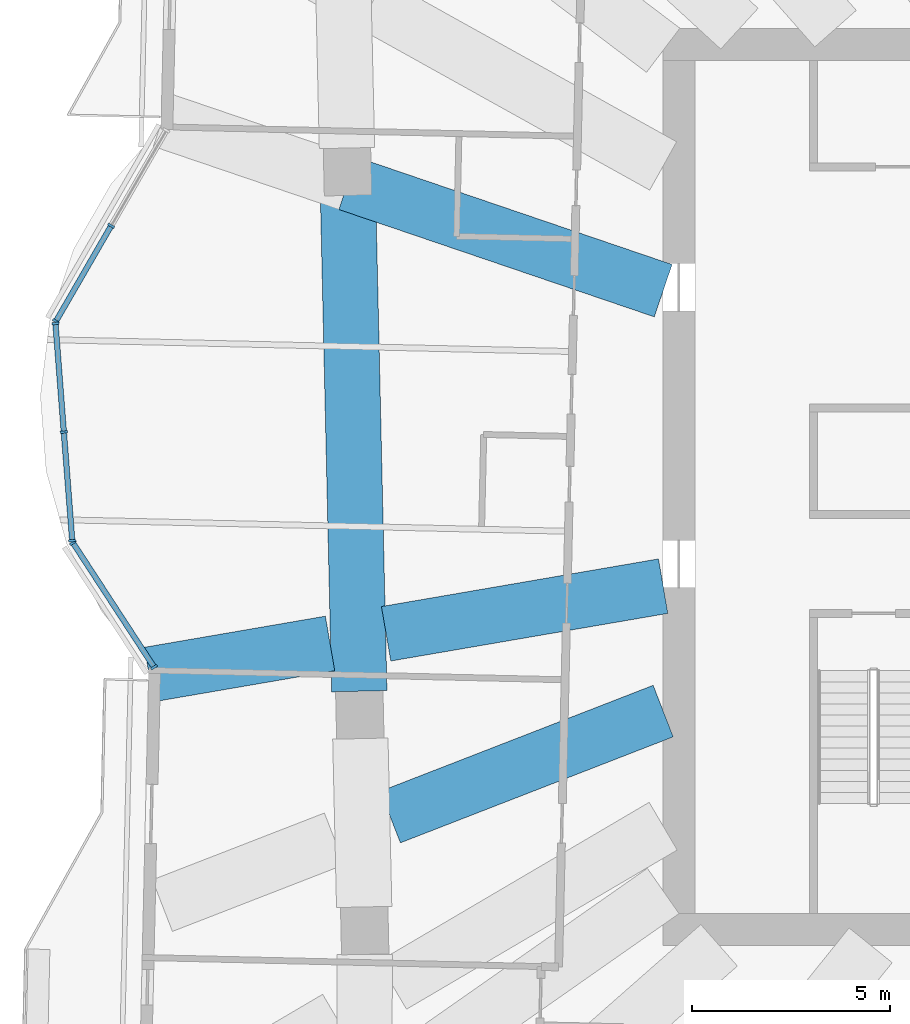
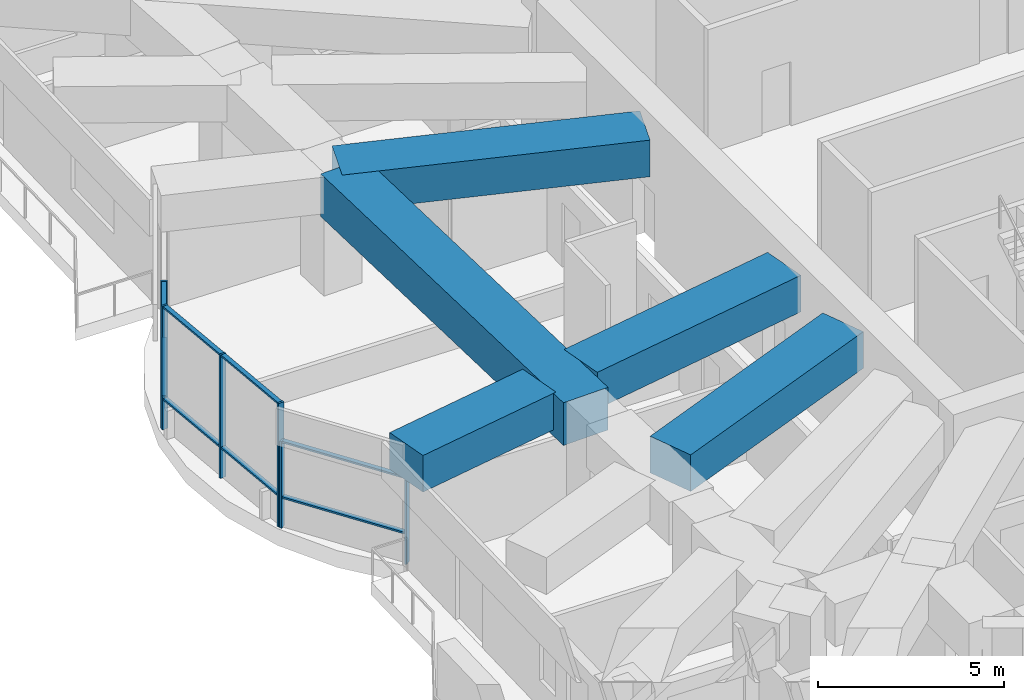
# One storey, part 2 of 19: 15 members, 5 beams, 3 elements without a shape of their own.
"""IFC4 building model written with IfcOpenShell, lengths in metres."""

from ifc_helpers import new_model, si_unit, direction, frame, origin, origin_2d, place, context, subcontext, project, spatial, rectangle, extrude, material, material_profile, profile_set, type_object, element, aggregate, save


model = new_model("IFC4")

# Units and contexts
model_context = context("Model", 3, precision=1e-05, world=origin(), true_north=direction((0.0, 1.0)))
body_context = subcontext(model_context, "Body", "Model", "MODEL_VIEW")
ifc_project = project(units=[si_unit("LENGTHUNIT", "METRE"), si_unit("AREAUNIT", "SQUARE_METRE"), si_unit("VOLUMEUNIT", "CUBIC_METRE"), si_unit("PLANEANGLEUNIT", "RADIAN"), si_unit("MASSUNIT", "GRAM", prefix="KILO")], contexts=[model_context])

# Site, building, storey
site_placement = place(None, origin())
site = spatial("IfcSite", under=ifc_project, at=site_placement, CompositionType="ELEMENT")
building_placement = place(site_placement, origin())
building = spatial("IfcBuilding", under=site, at=building_placement, Name="Mangrove Gate Tower", CompositionType="ELEMENT")
storey_placement = place(building_placement, frame((0.0, 0.0, 193.300048828125)))
storey = spatial("IfcBuildingStorey", under=building, at=storey_placement, Name="L49", CompositionType="ELEMENT", Elevation=193.300048828125)

# Curtain wall, members
ifc_material_1 = material(Name="Aluminium and glass curtain wall", Category="aluminium")
curtain_wall_type = type_object("IfcCurtainWallType", Name="Sky-lounge glazing wall", PredefinedType="NOTDEFINED", material=ifc_material_1)
curtain_wall_1_placement = place(storey_placement, origin())
curtain_wall_1 = element("IfcCurtainWall", 1, at=curtain_wall_1_placement, inside=storey, type_object=curtain_wall_type, Name="Sky-lounge glazing W9f1", PredefinedType="NOTDEFINED")
ifc_material_2 = material(Name="Aluminium alloy 6063-T6", Category="aluminium")
ifc_material_profile_1 = material_profile(ifc_material_2, rectangle(XDim=0.06005859375, YDim=0.179931640625, at=origin_2d()))
ifc_profile_set_1 = profile_set([ifc_material_profile_1], Name="Aluminium alloy 6063-T6")
member_type_1 = type_object("IfcMemberType", Name="Sky-lounge glazing mullion 60x180", PredefinedType="MULLION", material=ifc_profile_set_1)
member_1_placement = place(storey_placement, frame((-28.572265625, 6.6103515625, 0.0), z_axis=(0.0, 0.0, 1.0), x_axis=(-0.500418160284, -0.865783844189, 0.0)))
member_1 = element("IfcMember", 2, at=member_1_placement, type_object=member_type_1, Name="CWK mullion 2", PredefinedType="MULLION", context=body_context, shape_type="SweptSolid", body=[
    extrude(rectangle(XDim=0.06005859375, YDim=0.179931640625, at=origin_2d()), origin(), (0.0, 0.0, 1.0), 2.849853515625),
])
member_2_placement = place(storey_placement, frame((-29.96875, 4.19384765625, 0.0), z_axis=(0.0, 0.0, 1.0), x_axis=(-0.500418160284, -0.865783844189, 0.0)))
member_2 = element("IfcMember", 3, at=member_2_placement, type_object=member_type_1, Name="CWK mullion 3", PredefinedType="MULLION", context=body_context, shape_type="SweptSolid", body=[
    extrude(rectangle(XDim=0.06005859375, YDim=0.179931640625, at=origin_2d()), origin(), (0.0, 0.0, 1.0), 2.849853515625),
])

curtain_wall_2_placement = place(storey_placement, origin())
curtain_wall_2 = element("IfcCurtainWall", 4, at=curtain_wall_2_placement, inside=storey, type_object=curtain_wall_type, Name="Sky-lounge glazing W9f2", PredefinedType="NOTDEFINED")
member_3_placement = place(storey_placement, frame((-29.9814453125, 4.137939453125, 0.0), z_axis=(0.0, 0.0, 1.0), x_axis=(0.077023348229, -0.997029289353, 0.0)))
member_3 = element("IfcMember", 5, at=member_3_placement, type_object=member_type_1, Name="CWK mullion 1", PredefinedType="MULLION", context=body_context, shape_type="SweptSolid", body=[
    extrude(rectangle(XDim=0.06005859375, YDim=0.179931640625, at=origin_2d()), origin(), (0.0, 0.0, 1.0), 4.050048828125),
])
member_4_placement = place(storey_placement, frame((-29.769287109375, 1.389404296875, 0.0), z_axis=(0.0, 0.0, 1.0), x_axis=(0.077023348229, -0.997029289353, 0.0)))
member_4 = element("IfcMember", 6, at=member_4_placement, type_object=member_type_1, Name="CWK mullion 2", PredefinedType="MULLION", context=body_context, shape_type="SweptSolid", body=[
    extrude(rectangle(XDim=0.06005859375, YDim=0.179931640625, at=origin_2d()), origin(), (0.0, 0.0, 1.0), 4.050048828125),
])
member_5_placement = place(storey_placement, frame((-29.556884765625, -1.359130859375, 0.0), z_axis=(0.0, 0.0, 1.0), x_axis=(0.077023348229, -0.997029289353, 0.0)))
member_5 = element("IfcMember", 7, at=member_5_placement, type_object=member_type_1, Name="CWK mullion 3", PredefinedType="MULLION", context=body_context, shape_type="SweptSolid", body=[
    extrude(rectangle(XDim=0.06005859375, YDim=0.179931640625, at=origin_2d()), origin(), (0.0, 0.0, 1.0), 4.050048828125),
])

curtain_wall_3_placement = place(storey_placement, origin())
curtain_wall_3 = element("IfcCurtainWall", 8, at=curtain_wall_3_placement, inside=storey, type_object=curtain_wall_type, Name="Sky-lounge glazing W9f3", PredefinedType="NOTDEFINED")
member_6_placement = place(storey_placement, frame((-29.5380859375, -1.4140625, 0.0), z_axis=(0.0, 0.0, 1.0), x_axis=(0.546235085045, -0.837631919083, 0.0)))
member_6 = element("IfcMember", 9, at=member_6_placement, type_object=member_type_1, Name="CWK mullion 1", PredefinedType="MULLION", context=body_context, shape_type="SweptSolid", body=[
    extrude(rectangle(XDim=0.06005859375, YDim=0.179931640625, at=origin_2d()), origin(), (0.0, 0.0, 1.0), 2.849853515625),
])
member_7_placement = place(storey_placement, frame((-27.486572265625, -4.560302734375, 0.0), z_axis=(0.0, 0.0, 1.0), x_axis=(0.546235085045, -0.837631919083, 0.0)))
member_7 = element("IfcMember", 10, at=member_7_placement, type_object=member_type_1, Name="CWK mullion 2", PredefinedType="MULLION", context=body_context, shape_type="SweptSolid", body=[
    extrude(rectangle(XDim=0.06005859375, YDim=0.179931640625, at=origin_2d()), origin(), (0.0, 0.0, 1.0), 2.849853515625),
])

# Member
ifc_material_3 = material(Name="Aluminium alloy 6063-T6", Category="aluminium")
ifc_material_profile_2 = material_profile(ifc_material_3, rectangle(XDim=0.06005859375, YDim=0.139892578125, at=origin_2d()))
ifc_profile_set_2 = profile_set([ifc_material_profile_2], Name="Aluminium alloy 6063-T6")
member_type_2 = type_object("IfcMemberType", Name="Sky-lounge glazing transom 60x140", PredefinedType="USERDEFINED", material=ifc_profile_set_2)
member_8_placement = place(storey_placement, frame((-28.587158203125, 6.584228515625, 1.0), z_axis=(-0.500465258138, -0.865756620187, 0.0), x_axis=(0.0, 0.0, 1.0)))
member_8 = element("IfcMember", 11, at=member_8_placement, type_object=member_type_2, Name="CWK transom 2.2", ObjectType="TRANSOM", PredefinedType="USERDEFINED", context=body_context, shape_type="SweptSolid", body=[
    extrude(rectangle(XDim=0.06005859375, YDim=0.139892578125, at=origin_2d()), origin(), (0.0, 0.0, 1.0), 2.73095703125),
])

member_9_placement = place(storey_placement, frame((-28.587158203125, 6.584228515625, 2.820068359375), z_axis=(-0.500465258138, -0.865756620187, 0.0), x_axis=(0.0, 0.0, 1.0)))
member_9 = element("IfcMember", 12, at=member_9_placement, type_object=member_type_2, Name="CWK transom 2.3", ObjectType="TRANSOM", PredefinedType="USERDEFINED", context=body_context, shape_type="SweptSolid", body=[
    extrude(rectangle(XDim=0.06005859375, YDim=0.139892578125, at=origin_2d()), origin(), (0.0, 0.0, 1.0), 2.73095703125),
])

aggregate(curtain_wall_1, [member_1, member_2, member_8, member_9])

member_10_placement = place(storey_placement, frame((-29.979248046875, 4.108154296875, 1.0), z_axis=(0.077042645639, -0.997027798385, 0.0), x_axis=(0.0, 0.0, 1.0)))
member_10 = element("IfcMember", 13, at=member_10_placement, type_object=member_type_2, Name="CWK transom 1.2", ObjectType="TRANSOM", PredefinedType="USERDEFINED", context=body_context, shape_type="SweptSolid", body=[
    extrude(rectangle(XDim=0.06005859375, YDim=0.139892578125, at=origin_2d()), origin(), (0.0, 0.0, 1.0), 2.69677734375),
])

member_11_placement = place(storey_placement, frame((-29.979248046875, 4.108154296875, 4.02001953125), z_axis=(0.077042645639, -0.997027798385, 0.0), x_axis=(0.0, 0.0, 1.0)))
member_11 = element("IfcMember", 14, at=member_11_placement, type_object=member_type_2, Name="CWK transom 1.3", ObjectType="TRANSOM", PredefinedType="USERDEFINED", context=body_context, shape_type="SweptSolid", body=[
    extrude(rectangle(XDim=0.06005859375, YDim=0.139892578125, at=origin_2d()), origin(), (0.0, 0.0, 1.0), 2.69677734375),
])

member_12_placement = place(storey_placement, frame((-29.766845703125, 1.359619140625, 1.0), z_axis=(0.077042645639, -0.997027798385, 0.0), x_axis=(0.0, 0.0, 1.0)))
member_12 = element("IfcMember", 15, at=member_12_placement, type_object=member_type_2, Name="CWK transom 2.2", ObjectType="TRANSOM", PredefinedType="USERDEFINED", context=body_context, shape_type="SweptSolid", body=[
    extrude(rectangle(XDim=0.06005859375, YDim=0.139892578125, at=origin_2d()), origin(), (0.0, 0.0, 1.0), 2.69677734375),
])

member_13_placement = place(storey_placement, frame((-29.766845703125, 1.359619140625, 4.02001953125), z_axis=(0.077042645639, -0.997027798385, 0.0), x_axis=(0.0, 0.0, 1.0)))
member_13 = element("IfcMember", 16, at=member_13_placement, type_object=member_type_2, Name="CWK transom 2.3", ObjectType="TRANSOM", PredefinedType="USERDEFINED", context=body_context, shape_type="SweptSolid", body=[
    extrude(rectangle(XDim=0.06005859375, YDim=0.139892578125, at=origin_2d()), origin(), (0.0, 0.0, 1.0), 2.69677734375),
])

aggregate(curtain_wall_2, [member_3, member_4, member_5, member_10, member_11, member_12, member_13])

member_14_placement = place(storey_placement, frame((-29.521728515625, -1.439208984375, 1.0), z_axis=(0.546211360714, -0.837647389674, 0.0), x_axis=(0.0, 0.0, 1.0)))
member_14 = element("IfcMember", 17, at=member_14_placement, type_object=member_type_2, Name="CWK transom 1.2", ObjectType="TRANSOM", PredefinedType="USERDEFINED", context=body_context, shape_type="SweptSolid", body=[
    extrude(rectangle(XDim=0.06005859375, YDim=0.139892578125, at=origin_2d()), origin(), (0.0, 0.0, 1.0), 3.696044921875),
])

member_15_placement = place(storey_placement, frame((-29.521728515625, -1.439208984375, 2.820068359375), z_axis=(0.546211360714, -0.837647389674, 0.0), x_axis=(0.0, 0.0, 1.0)))
member_15 = element("IfcMember", 18, at=member_15_placement, type_object=member_type_2, Name="CWK transom 1.3", ObjectType="TRANSOM", PredefinedType="USERDEFINED", context=body_context, shape_type="SweptSolid", body=[
    extrude(rectangle(XDim=0.06005859375, YDim=0.139892578125, at=origin_2d()), origin(), (0.0, 0.0, 1.0), 3.696044921875),
])

aggregate(curtain_wall_3, [member_6, member_7, member_14, member_15])

# Beams
ifc_material_4 = material(Name="Concrete C60/75", Category="concrete")
ifc_material_profile_3 = material_profile(ifc_material_4, rectangle(XDim=1.39990234375, YDim=1.199951171875, at=origin_2d()))
ifc_profile_set_3 = profile_set([ifc_material_profile_3], Name="Concrete C60/75")
beam_type_1 = type_object("IfcBeamType", Name="Transfer girder RC 1400x1200 C60/75", PredefinedType="BEAM", material=ifc_profile_set_3)
beam_1_placement = place(storey_placement, frame((-14.60009765625, -2.51025390625, 3.449951171875), z_axis=(-0.985540834163, -0.169438083667, 0.0), x_axis=(0.169438083667, -0.985540834163, 0.0)))
element("IfcBeam", 19, at=beam_1_placement, inside=storey, type_object=beam_type_1, Name="Transfer girder L49 00", PredefinedType="BEAM", context=body_context, shape_type="SweptSolid", body=[
    extrude(rectangle(XDim=1.39990234375, YDim=1.199951171875, at=origin_2d()), origin(), (0.0, 0.0, 1.0), 7.114990234375),
])
beam_2_placement = place(storey_placement, frame((-23.031494140625, -3.959716796875, 3.449951171875), z_axis=(-0.985533405954, -0.16948128436, 0.0), x_axis=(0.16948128436, -0.985533405954, 0.0)))
element("IfcBeam", 20, at=beam_2_placement, inside=storey, type_object=beam_type_1, Name="Transfer cantilever girder L49 00", PredefinedType="BEAM", context=body_context, shape_type="SweptSolid", body=[
    extrude(rectangle(XDim=1.39990234375, YDim=1.199951171875, at=origin_2d()), origin(), (0.0, 0.0, 1.0), 4.6484375),
])
beam_3_placement = place(storey_placement, frame((-14.60009765625, -5.67236328125, 3.449951171875), z_axis=(-0.932122140855, -0.362144052179, 0.0), x_axis=(0.362144052179, -0.932122140855, 0.0)))
element("IfcBeam", 21, at=beam_3_placement, inside=storey, type_object=beam_type_1, Name="Transfer girder L49 01", PredefinedType="BEAM", context=body_context, shape_type="SweptSolid", body=[
    extrude(rectangle(XDim=1.39990234375, YDim=1.199951171875, at=origin_2d()), origin(), (0.0, 0.0, 1.0), 7.40771484375),
])
beam_4_placement = place(storey_placement, frame((-14.60009765625, 4.968505859375, 3.449951171875), z_axis=(-0.946675647092, 0.322188173593, 0.0), x_axis=(-0.322188173593, -0.946675647092, 0.0)))
element("IfcBeam", 22, at=beam_4_placement, inside=storey, type_object=beam_type_1, Name="Transfer girder L49 29", PredefinedType="BEAM", context=body_context, shape_type="SweptSolid", body=[
    extrude(rectangle(XDim=1.39990234375, YDim=1.199951171875, at=origin_2d()), origin(), (0.0, 0.0, 1.0), 8.43310546875),
])
ifc_material_5 = material(Name="Concrete C60/75", Category="concrete")
ifc_material_profile_4 = material_profile(ifc_material_5, rectangle(XDim=1.39990234375, YDim=1.39990234375, at=origin_2d()))
ifc_profile_set_4 = profile_set([ifc_material_profile_4], Name="Concrete C60/75")
beam_type_2 = type_object("IfcBeamType", Name="Transfer girder RC 1400x1400 C60/75", PredefinedType="BEAM", material=ifc_profile_set_4)
beam_5_placement = place(storey_placement, frame((-22.57666015625, 7.378662109375, 3.349853515625), z_axis=(0.022699754772, -0.999742327369, 0.0), x_axis=(0.999742327369, 0.022699754772, 0.0)))
element("IfcBeam", 23, at=beam_5_placement, inside=storey, type_object=beam_type_2, Name="Transfer ring girder L49 29", PredefinedType="BEAM", context=body_context, shape_type="SweptSolid", body=[
    extrude(rectangle(XDim=1.39990234375, YDim=1.39990234375, at=origin_2d()), origin(), (0.0, 0.0, 1.0), 12.55126953125),
])

save(model, "model.ifc")
